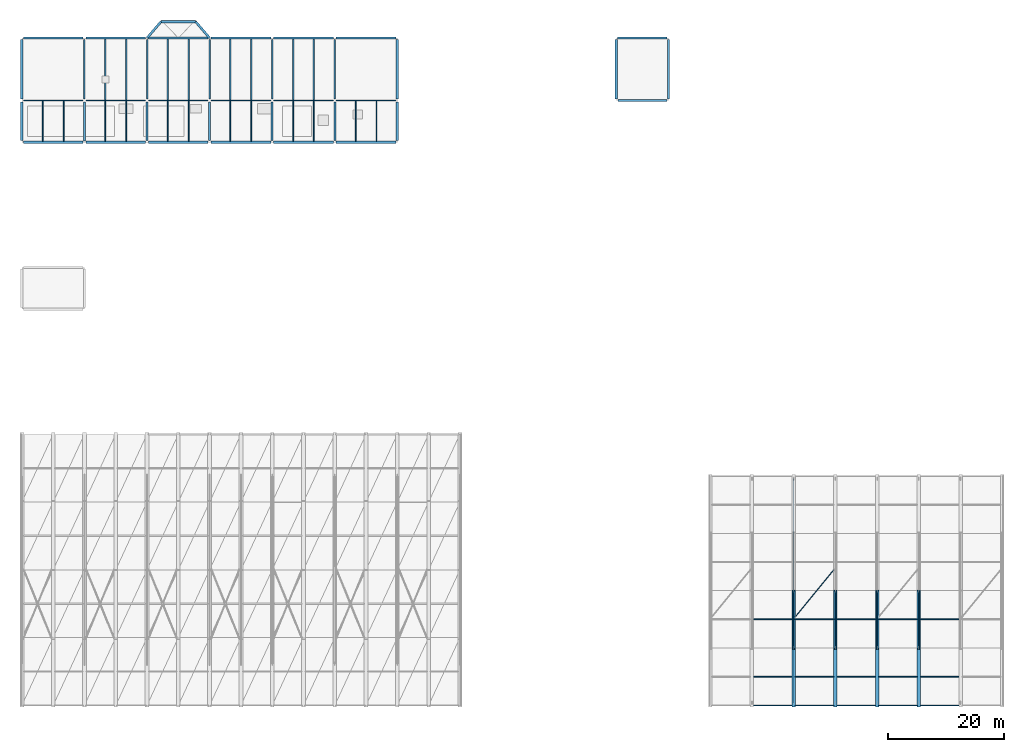
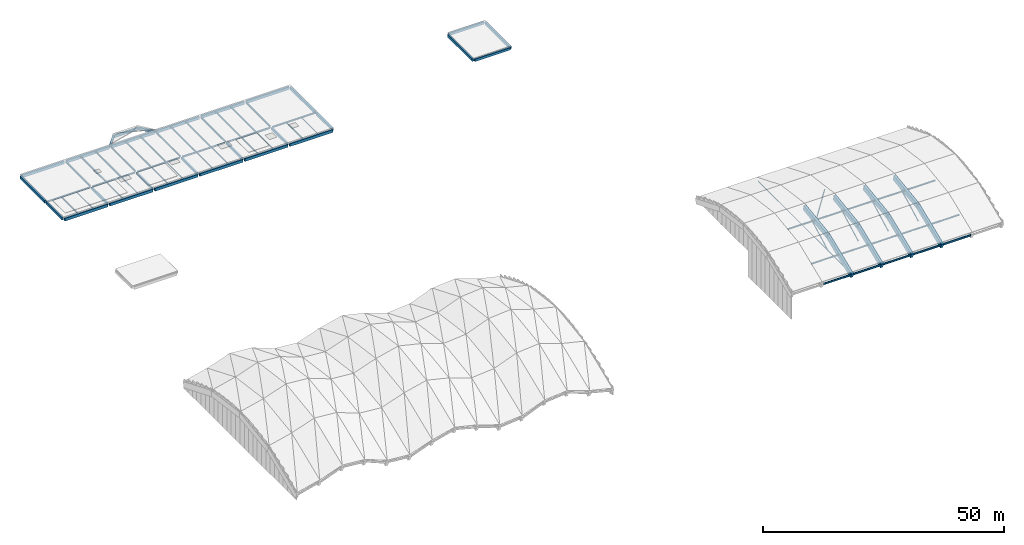
# One storey, part 4 of 22: 72 beams, 16 members.
"""IFC4 building model written with IfcOpenShell, lengths in metres."""

import ifcopenshell
import ifcopenshell.guid

model = None  # the IFC model being written
_history = None  # IfcOwnerHistory: only IFC2X3 demands one
_inside = {}  # id of a spatial element -> (the spatial element, [elements in it])
_under = {}  # id of a project, library or spatial element -> (it, [spatial elements below it])
_declared = {}  # id of a project -> (the project, [libraries it declares])
_typed = {}  # id of a type object -> (the type object, [elements of that type])
_made_of = {}  # id of a material, layer set ... -> (it, [elements and type objects made of it])


def new_model(schema):
    """Start an empty IFC model of exactly this schema.

    Asked for "IFC4X3", IfcOpenShell would pick the latest addendum, in which some entities
    have other attributes; the version numbers below select the first issue.
    IFC2X3 requires an IfcOwnerHistory on every rooted entity: one is made here for all.
    """
    global model, _history
    if schema == "IFC4X3":
        model = ifcopenshell.file(schema_version=(4, 3, 0, 0))
    else:
        model = ifcopenshell.file(schema=schema)
    _inside.clear()
    _under.clear()
    _declared.clear()
    _typed.clear()
    _made_of.clear()
    _history = None
    if model.schema == "IFC2X3":
        org = make("IfcOrganization", Name="unknown")
        user = make(
            "IfcPersonAndOrganization",
            ThePerson=make("IfcPerson", FamilyName="unknown"),
            TheOrganization=org,
        )
        app = make(
            "IfcApplication",
            ApplicationDeveloper=org,
            Version="unknown",
            ApplicationFullName="unknown",
            ApplicationIdentifier="unknown",
        )
        _history = make(
            "IfcOwnerHistory",
            OwningUser=user,
            OwningApplication=app,
            ChangeAction="ADDED",
            CreationDate=0,
        )
    return model


def make(cls, **values):
    """One entity of the class cls with the attributes given. An attribute that is None is left unset."""
    return model.create_entity(
        cls, **{name: value for name, value in values.items() if value is not None}
    )


def rooted(cls, **values):
    """An entity with a GlobalId (a new one), such as an element, a storey or a relation."""
    return make(cls, GlobalId=ifcopenshell.guid.new(), OwnerHistory=_history, **values)


def si_unit(unit_type, name, prefix=None):
    """IfcSIUnit, for example si_unit("LENGTHUNIT", "METRE", prefix="MILLI")."""
    return make("IfcSIUnit", UnitType=unit_type, Prefix=prefix, Name=name)


def assignment(units):
    """IfcUnitAssignment: the units of a project."""
    return None if units is None else make("IfcUnitAssignment", Units=units)


def point(xyz):
    """IfcCartesianPoint."""
    return None if xyz is None else make("IfcCartesianPoint", Coordinates=xyz)


def direction(xyz):
    """IfcDirection."""
    return None if xyz is None else make("IfcDirection", DirectionRatios=xyz)


def frame(location, z_axis=None, x_axis=None):
    """IfcAxis2Placement3D, a coordinate frame: its origin and axes. An axis left out is left unset."""
    return make(
        "IfcAxis2Placement3D",
        Location=point(location),
        Axis=direction(z_axis),
        RefDirection=direction(x_axis),
    )


def frame_2d(location, x_axis=None):
    """IfcAxis2Placement2D, a coordinate frame in the plane: its origin and x axis."""
    return make(
        "IfcAxis2Placement2D", Location=point(location), RefDirection=direction(x_axis)
    )


def origin():
    """The frame at (0, 0, 0) with its axes left unset."""
    return frame((0.0, 0.0, 0.0))


def origin_2d():
    """The frame at (0, 0) in the plane with its x axis left unset."""
    return frame_2d((0.0, 0.0))


def place(relative_to, where):
    """IfcLocalPlacement: puts the frame where relative to a parent placement (None: the world)."""
    return make(
        "IfcLocalPlacement", PlacementRelTo=relative_to, RelativePlacement=where
    )


def context(
    kind, dimensions, precision=None, world=None, true_north=None, identifier=None
):
    """IfcGeometricRepresentationContext, for example the 3D "Model" context."""
    return make(
        "IfcGeometricRepresentationContext",
        ContextIdentifier=identifier,
        ContextType=kind,
        CoordinateSpaceDimension=dimensions,
        Precision=precision,
        WorldCoordinateSystem=world,
        TrueNorth=true_north,
    )


def subcontext(parent, identifier, kind, view, scale=None):
    """IfcGeometricRepresentationSubContext, for example "Body" below "Model"."""
    return make(
        "IfcGeometricRepresentationSubContext",
        ContextIdentifier=identifier,
        ContextType=kind,
        ParentContext=parent,
        TargetScale=scale,
        TargetView=view,
    )


def project(units=None, contexts=None):
    """IfcProject with its units and contexts."""
    return rooted(
        "IfcProject",
        Name="project",
        RepresentationContexts=contexts,
        UnitsInContext=assignment(units),
    )


def spatial(cls, under=None, at=None, **own):
    """A site, building, storey or space (cls), placed at a placement, below another one or the project."""
    s = rooted(cls, ObjectPlacement=at, **own)
    if under is not None:
        _under.setdefault(under.id(), (under, []))[1].append(s)
    return s


def profile(cls, at=None, kind="AREA", **sizes):
    """A parametric profile (cls). Its sizes go by their IFC names, for example OverallWidth=200.0."""
    return make(cls, ProfileType=kind, Position=at, **sizes)


def rectangle(**sizes):
    """IfcRectangleProfileDef."""
    return profile("IfcRectangleProfileDef", **sizes)


def hollow_rectangle(**sizes):
    """IfcRectangleHollowProfileDef."""
    return profile("IfcRectangleHollowProfileDef", **sizes)


def hollow_circle(**sizes):
    """IfcCircleHollowProfileDef."""
    return profile("IfcCircleHollowProfileDef", **sizes)


def i_section(**sizes):
    """IfcIShapeProfileDef."""
    return profile("IfcIShapeProfileDef", **sizes)


def extrude(swept, where, along, depth):
    """IfcExtrudedAreaSolid: the profile swept, set in the frame where, extruded along a direction by depth."""
    return make(
        "IfcExtrudedAreaSolid",
        SweptArea=swept,
        Position=where,
        ExtrudedDirection=direction(along),
        Depth=depth,
    )


def shape(context_of_items, identifier, shape_type, items):
    """IfcShapeRepresentation: the items that make up one representation, for example the "Body"."""
    return make(
        "IfcShapeRepresentation",
        ContextOfItems=context_of_items,
        RepresentationIdentifier=identifier,
        RepresentationType=shape_type,
        Items=items,
    )


def material(Name=None, Category=None):
    """IfcMaterial."""
    return make("IfcMaterial", Name=Name, Category=Category)


def material_profile(
    of_material, cross_section, Name=None, Category=None, Priority=None
):
    """IfcMaterialProfile: a cross section and its material."""
    return make(
        "IfcMaterialProfile",
        Name=Name,
        Material=of_material,
        Profile=cross_section,
        Priority=Priority,
        Category=Category,
    )


def profile_set(profiles, Name=None, composite=None):
    """IfcMaterialProfileSet."""
    return make(
        "IfcMaterialProfileSet",
        Name=Name,
        MaterialProfiles=profiles,
        CompositeProfile=composite,
    )


def made_of(thing, what):
    """Note that an element or type object is made of a material, layer set ...; save() writes the relation."""
    if what is not None:
        _made_of.setdefault(what.id(), (what, []))[1].append(thing)
    return thing


def type_object(cls, material=None, **own):
    """A type object (cls), such as IfcWallType, which elements share."""
    return made_of(rooted(cls, **own), material)


def element(
    cls,
    number,
    at=None,
    inside=None,
    cuts=None,
    type_object=None,
    material=None,
    context=None,
    identifier="Body",
    shape_type=None,
    held_by="IfcProductDefinitionShape",
    body=None,
    shapes=None,
    **own,
):
    """One element of the class cls, such as IfcWall. Its Tag is "e" and its number.

    at: its placement. inside: the storey or other place that contains it. cuts: it is an
    opening in that element (IfcRelVoidsElement). A single representation is given by context,
    identifier, shape_type and body (its items); several are given by shapes. held_by: the class
    of the entity that holds the representations. save() writes the other relations.
    """
    e = rooted(cls, Tag="e%d" % number, ObjectPlacement=at, **own)
    if body is not None:
        shapes = [shape(context, identifier, shape_type, body)]
    if shapes is not None:
        e.Representation = make(held_by, Representations=shapes)
    if inside is not None:
        _inside.setdefault(inside.id(), (inside, []))[1].append(e)
    if cuts is not None:
        rooted(
            "IfcRelVoidsElement", RelatingBuildingElement=cuts, RelatedOpeningElement=e
        )
    if type_object is not None:
        _typed.setdefault(type_object.id(), (type_object, []))[1].append(e)
    return made_of(e, material)


def aggregate(whole, parts):
    """IfcRelAggregates: a whole, such as a stair, and the parts it consists of."""
    return rooted("IfcRelAggregates", RelatingObject=whole, RelatedObjects=parts)


def save(model, path):
    """Write the relations noted so far, then the file.

    IfcRelAggregates (storeys below a building ...), IfcRelContainedInSpatialStructure (elements
    in a storey), IfcRelDefinesByType, IfcRelAssociatesMaterial and IfcRelDeclares: one each for
    every whole, place, type object, material and project.
    """
    for whole, parts in _under.values():
        aggregate(whole, parts)
    for where, things in _inside.values():
        rooted(
            "IfcRelContainedInSpatialStructure",
            RelatedElements=things,
            RelatingStructure=where,
        )
    for kind, things in _typed.values():
        rooted("IfcRelDefinesByType", RelatedObjects=things, RelatingType=kind)
    for what, things in _made_of.values():
        rooted("IfcRelAssociatesMaterial", RelatedObjects=things, RelatingMaterial=what)
    for by, libraries in _declared.values():
        rooted("IfcRelDeclares", RelatingContext=by, RelatedDefinitions=libraries)
    model.write(path)


model = new_model("IFC4")

# Units and contexts
model_context = context("Model", 3, precision=1e-05, world=origin(), true_north=direction((0.0, 1.0)))
body_context = subcontext(model_context, "Body", "Model", "MODEL_VIEW")
ifc_project = project(units=[si_unit("LENGTHUNIT", "METRE"), si_unit("AREAUNIT", "SQUARE_METRE"), si_unit("VOLUMEUNIT", "CUBIC_METRE"), si_unit("PLANEANGLEUNIT", "RADIAN"), si_unit("MASSUNIT", "GRAM", prefix="KILO")], contexts=[model_context])

# Site, building, storey
site_placement = place(None, origin())
site = spatial("IfcSite", under=ifc_project, at=site_placement, CompositionType="ELEMENT")
building_placement = place(site_placement, origin())
building = spatial("IfcBuilding", under=site, at=building_placement, Name="Lusvemor Sports Hall", CompositionType="ELEMENT")
storey_placement = place(building_placement, frame((0.0, 0.0, 23.39990234375)))
storey = spatial("IfcBuildingStorey", under=building, at=storey_placement, Name="Roof", CompositionType="ELEMENT", Elevation=23.39990234375)

# Beams
ifc_material_1 = material(Name="Concrete C40/50", Category="concrete")
ifc_material_profile_1 = material_profile(ifc_material_1, rectangle(XDim=0.60009765625, YDim=1.300048828125, at=origin_2d()), Name="RC600x1300")
ifc_profile_set_1 = profile_set([ifc_material_profile_1], Name="Concrete C40/50")
beam_type_1 = type_object("IfcBeamType", Name="ARCH_RIB_V2", PredefinedType="T_BEAM", material=ifc_profile_set_1)
beam_1_placement = place(storey_placement, frame((133.199951171875, 0.0, -2.58984375), z_axis=(0.0, 0.925544047536, 0.378639955723), x_axis=(-1.0, 0.0, 0.0)))
element("IfcBeam", 1, at=beam_1_placement, inside=storey, type_object=beam_type_1, Name="East Vault Arch Rib 15 Seg 1", PredefinedType="T_BEAM", context=body_context, shape_type="SweptSolid", body=[
    extrude(rectangle(XDim=0.60009765625, YDim=1.300048828125, at=origin_2d()), origin(), (0.0, 0.0, 1.0), 10.6962890625),
])
beam_2_placement = place(storey_placement, frame((133.199951171875, 9.89990234375, 1.460205078125), z_axis=(0.0, 0.990832398214, 0.135096849146), x_axis=(-1.0, 0.0, 0.0)))
element("IfcBeam", 2, at=beam_2_placement, inside=storey, type_object=beam_type_1, Name="East Vault Arch Rib 15 Seg 2", PredefinedType="T_BEAM", context=body_context, shape_type="SweptSolid", body=[
    extrude(rectangle(XDim=0.60009765625, YDim=1.300048828125, at=origin_2d()), origin(), (0.0, 0.0, 1.0), 9.99169921875),
])
beam_3_placement = place(storey_placement, frame((140.39990234375, 0.0, -2.58984375), z_axis=(0.0, 0.925544047536, 0.378639955723), x_axis=(-1.0, 0.0, 0.0)))
element("IfcBeam", 3, at=beam_3_placement, inside=storey, type_object=beam_type_1, Name="East Vault Arch Rib 16 Seg 1", PredefinedType="T_BEAM", context=body_context, shape_type="SweptSolid", body=[
    extrude(rectangle(XDim=0.60009765625, YDim=1.300048828125, at=origin_2d()), origin(), (0.0, 0.0, 1.0), 10.6962890625),
])
beam_4_placement = place(storey_placement, frame((140.39990234375, 9.89990234375, 1.460205078125), z_axis=(0.0, 0.990832398214, 0.135096849146), x_axis=(-1.0, 0.0, 0.0)))
element("IfcBeam", 4, at=beam_4_placement, inside=storey, type_object=beam_type_1, Name="East Vault Arch Rib 16 Seg 2", PredefinedType="T_BEAM", context=body_context, shape_type="SweptSolid", body=[
    extrude(rectangle(XDim=0.60009765625, YDim=1.300048828125, at=origin_2d()), origin(), (0.0, 0.0, 1.0), 9.99169921875),
])
beam_5_placement = place(storey_placement, frame((147.60009765625, 0.0, -2.58984375), z_axis=(0.0, 0.925544047536, 0.378639955723), x_axis=(-1.0, 0.0, 0.0)))
element("IfcBeam", 5, at=beam_5_placement, inside=storey, type_object=beam_type_1, Name="East Vault Arch Rib 17 Seg 1", PredefinedType="T_BEAM", context=body_context, shape_type="SweptSolid", body=[
    extrude(rectangle(XDim=0.60009765625, YDim=1.300048828125, at=origin_2d()), origin(), (0.0, 0.0, 1.0), 10.6962890625),
])
beam_6_placement = place(storey_placement, frame((147.60009765625, 9.89990234375, 1.460205078125), z_axis=(0.0, 0.990832398214, 0.135096849146), x_axis=(-1.0, 0.0, 0.0)))
element("IfcBeam", 6, at=beam_6_placement, inside=storey, type_object=beam_type_1, Name="East Vault Arch Rib 17 Seg 2", PredefinedType="T_BEAM", context=body_context, shape_type="SweptSolid", body=[
    extrude(rectangle(XDim=0.60009765625, YDim=1.300048828125, at=origin_2d()), origin(), (0.0, 0.0, 1.0), 9.99169921875),
])
beam_7_placement = place(storey_placement, frame((154.800048828125, 0.0, -2.58984375), z_axis=(0.0, 0.925544047536, 0.378639955723), x_axis=(-1.0, 0.0, 0.0)))
element("IfcBeam", 7, at=beam_7_placement, inside=storey, type_object=beam_type_1, Name="East Vault Arch Rib 18 Seg 1", PredefinedType="T_BEAM", context=body_context, shape_type="SweptSolid", body=[
    extrude(rectangle(XDim=0.60009765625, YDim=1.300048828125, at=origin_2d()), origin(), (0.0, 0.0, 1.0), 10.6962890625),
])
beam_8_placement = place(storey_placement, frame((154.800048828125, 9.89990234375, 1.460205078125), z_axis=(0.0, 0.990832398214, 0.135096849146), x_axis=(-1.0, 0.0, 0.0)))
element("IfcBeam", 8, at=beam_8_placement, inside=storey, type_object=beam_type_1, Name="East Vault Arch Rib 18 Seg 2", PredefinedType="T_BEAM", context=body_context, shape_type="SweptSolid", body=[
    extrude(rectangle(XDim=0.60009765625, YDim=1.300048828125, at=origin_2d()), origin(), (0.0, 0.0, 1.0), 9.99169921875),
])
ifc_material_2 = material(Name="Concrete C40/50", Category="concrete")
ifc_material_profile_2 = material_profile(ifc_material_2, rectangle(XDim=0.35009765625, YDim=0.550048828125, at=origin_2d()), Name="RC350x550")
ifc_profile_set_2 = profile_set([ifc_material_profile_2], Name="Concrete C40/50")
beam_type_2 = type_object("IfcBeamType", Name="BEAM_RC_550", PredefinedType="BEAM", material=ifc_profile_set_2)
beam_9_placement = place(storey_placement, frame((10.800048828125, 97.446044921875, -0.60498046875), z_axis=(0.0, 1.0, 0.0), x_axis=(-1.0, 0.0, 0.0)))
element("IfcBeam", 9, at=beam_9_placement, inside=storey, type_object=beam_type_2, Name="Beam Roof 2:N-P", PredefinedType="BEAM", context=body_context, shape_type="SweptSolid", body=[
    extrude(rectangle(XDim=0.35009765625, YDim=0.550048828125, at=origin_2d()), origin(), (0.0, 0.0, 1.0), 6.7080078125),
])
for number, where, z_axis, x_axis, name in (
    (10, (21.60009765625, 97.466064453125, -0.60498046875), (0.0, 1.0, 0.0), (-1.0, 0.0, 0.0), "Beam Roof 3:N-P"),
    (11, (32.39990234375, 97.466064453125, -0.60498046875), (0.0, 1.0, 0.0), (-1.0, 0.0, 0.0), "Beam Roof 4:N-P"),
    (12, (43.199951171875, 97.466064453125, -0.60498046875), (0.0, 1.0, 0.0), (-1.0, 0.0, 0.0), "Beam Roof 5:N-P"),
    (13, (54.0, 97.466064453125, -0.60498046875), (0.0, 1.0, 0.0), (-1.0, 0.0, 0.0), "Beam Roof 6:N-P"),
):
    element("IfcBeam", number, at=place(storey_placement, frame(where, z_axis=z_axis, x_axis=x_axis)), inside=storey, type_object=beam_type_2, Name=name, PredefinedType="BEAM", context=body_context, shape_type="SweptSolid", body=[
        extrude(rectangle(XDim=0.35009765625, YDim=0.550048828125, at=origin_2d()), origin(), (0.0, 0.0, 1.0), 6.68798828125),
    ])
ifc_material_3 = material(Name="Steel S355", Category="steel")
ifc_material_profile_3 = material_profile(ifc_material_3, i_section(OverallWidth=0.256103515625, OverallDepth=0.360107421875, WebThickness=0.011474609375, FlangeThickness=0.02001953125, FilletRadius=0.014892578125, at=origin_2d()), Name="W360x110.0")
ifc_profile_set_3 = profile_set([ifc_material_profile_3], Name="Steel S355")
beam_type_3 = type_object("IfcBeamType", Name="BEAM_ST_360H", PredefinedType="BEAM", material=ifc_profile_set_3)
for number, where, z_axis, x_axis, name in (
    (14, (10.800048828125, 104.64599609375, -0.513916015625), (0.0, 1.0, 0.0), (-1.0, 0.0, 0.0), "Beam Roof 2:P-Q"),
    (15, (21.60009765625, 104.64599609375, -0.513916015625), (0.0, 1.0, 0.0), (-1.0, 0.0, 0.0), "Beam Roof 3:P-Q"),
    (16, (32.39990234375, 104.64599609375, -0.513916015625), (0.0, 1.0, 0.0), (-1.0, 0.0, 0.0), "Beam Roof 4:P-Q"),
    (17, (43.199951171875, 104.64599609375, -0.513916015625), (0.0, 1.0, 0.0), (-1.0, 0.0, 0.0), "Beam Roof 5:P-Q"),
    (18, (54.0, 104.64599609375, -0.513916015625), (0.0, 1.0, 0.0), (-1.0, 0.0, 0.0), "Beam Roof 6:P-Q"),
):
    element("IfcBeam", number, at=place(storey_placement, frame(where, z_axis=z_axis, x_axis=x_axis)), inside=storey, type_object=beam_type_3, Name=name, PredefinedType="BEAM", context=body_context, shape_type="SweptSolid", body=[
        extrude(i_section(OverallWidth=0.256103515625, OverallDepth=0.360107421875, WebThickness=0.011474609375, FlangeThickness=0.02001953125, FilletRadius=0.014892578125, at=origin_2d()), origin(), (0.0, 0.0, 1.0), 10.2880859375),
    ])
ifc_material_4 = material(Name="Steel S355", Category="steel")
ifc_material_profile_4 = material_profile(ifc_material_4, i_section(OverallWidth=0.180908203125, OverallDepth=0.4169921875, WebThickness=0.010986328125, FlangeThickness=0.018310546875, FilletRadius=0.01611328125, at=origin_2d()), Name="W410x85.0")
ifc_profile_set_4 = profile_set([ifc_material_profile_4], Name="Steel S355")
beam_type_4 = type_object("IfcBeamType", Name="BEAM_ST_410H", PredefinedType="BEAM", material=ifc_profile_set_4)
beam_10_placement = place(storey_placement, frame((0.236083984375, 104.39990234375, -0.54248046875), z_axis=(1.0, 0.0, 0.0), x_axis=(0.0, 1.0, 0.0)))
element("IfcBeam", 19, at=beam_10_placement, inside=storey, type_object=beam_type_4, Name="Beam Roof P:1-2", PredefinedType="BEAM", context=body_context, shape_type="SweptSolid", body=[
    extrude(i_section(OverallWidth=0.180908203125, OverallDepth=0.4169921875, WebThickness=0.010986328125, FlangeThickness=0.018310546875, FilletRadius=0.01611328125, at=origin_2d()), origin(), (0.0, 0.0, 1.0), 10.31787109375),
])
for number, where, z_axis, x_axis, name in (
    (20, (11.0458984375, 104.39990234375, -0.54248046875), (1.0, 0.0, 0.0), (0.0, 1.0, 0.0), "Beam Roof P:2-3"),
    (21, (21.845947265625, 104.39990234375, -0.54248046875), (1.0, 0.0, 0.0), (0.0, 1.0, 0.0), "Beam Roof P:3-4"),
    (22, (32.64599609375, 104.39990234375, -0.54248046875), (1.0, 0.0, 0.0), (0.0, 1.0, 0.0), "Beam Roof P:4-5"),
):
    element("IfcBeam", number, at=place(storey_placement, frame(where, z_axis=z_axis, x_axis=x_axis)), inside=storey, type_object=beam_type_4, Name=name, PredefinedType="BEAM", context=body_context, shape_type="SweptSolid", body=[
        extrude(i_section(OverallWidth=0.180908203125, OverallDepth=0.4169921875, WebThickness=0.010986328125, FlangeThickness=0.018310546875, FilletRadius=0.01611328125, at=origin_2d()), origin(), (0.0, 0.0, 1.0), 10.30810546875),
    ])
for number, where, z_axis, x_axis, name in (
    (23, (43.446044921875, 104.39990234375, -0.54248046875), (1.0, 0.0, 0.0), (0.0, 1.0, 0.0), "Beam Roof P:5-6"),
    (24, (54.24609375, 104.39990234375, -0.54248046875), (1.0, 0.0, 0.0), (0.0, 1.0, 0.0), "Beam Roof P:6-7"),
):
    element("IfcBeam", number, at=place(storey_placement, frame(where, z_axis=z_axis, x_axis=x_axis)), inside=storey, type_object=beam_type_4, Name=name, PredefinedType="BEAM", context=body_context, shape_type="SweptSolid", body=[
        extrude(i_section(OverallWidth=0.180908203125, OverallDepth=0.4169921875, WebThickness=0.010986328125, FlangeThickness=0.018310546875, FilletRadius=0.01611328125, at=origin_2d()), origin(), (0.0, 0.0, 1.0), 10.307861328125),
    ])

# Member
ifc_material_5 = material(Name="Steel S355", Category="steel")
ifc_material_profile_5 = material_profile(ifc_material_5, hollow_circle(Radius=0.084228515625, WallThickness=0.008056640625, at=origin_2d()), Name="CHS168.3x8.0")
ifc_profile_set_5 = profile_set([ifc_material_profile_5], Name="Steel S355")
member_type_1 = type_object("IfcMemberType", Name="BRACE_ROOF_168", PredefinedType="BRACE", material=ifc_profile_set_5)
member_1_placement = place(storey_placement, frame((133.489990234375, 15.300048828125, 2.611083984375), z_axis=(0.632805582188, 0.774251025234, 0.009614836254), x_axis=(-0.774286815563, 0.632834834096, 0.0)))
element("IfcMember", 25, at=member_1_placement, inside=storey, type_object=member_type_1, Name="East Vault Roof Brace 15", PredefinedType="BRACE", context=body_context, shape_type="SweptSolid", body=[
    extrude(hollow_circle(Radius=0.084228515625, WallThickness=0.008056640625, at=origin_2d()), origin(), (0.0, 0.0, 1.0), 10.46142578125),
])

# Beams
ifc_material_6 = material(Name="Steel S355", Category="steel")
ifc_material_profile_6 = material_profile(ifc_material_6, i_section(OverallWidth=0.14794921875, OverallDepth=0.26611328125, WebThickness=0.007568359375, FlangeThickness=0.012939453125, FilletRadius=0.012939453125, at=origin_2d()), Name="W250x44.8")
ifc_profile_set_6 = profile_set([ifc_material_profile_6], Name="Steel S355")
beam_type_5 = type_object("IfcBeamType", Name="JOIST_ST_250M", PredefinedType="JOIST", material=ifc_profile_set_6)
for number, where, z_axis, x_axis, name in (
    (26, (7.199951171875, 97.39599609375, -0.466796875), (0.0, 1.0, 0.0), (-1.0, 0.0, 0.0), "Secondary Joist Roof 1-2/N-P #2"),
    (27, (18.0, 97.39599609375, -0.466796875), (0.0, 1.0, 0.0), (-1.0, 0.0, 0.0), "Secondary Joist Roof 2-3/N-P #2"),
    (28, (28.800048828125, 97.39599609375, -0.466796875), (0.0, 1.0, 0.0), (-1.0, 0.0, 0.0), "Secondary Joist Roof 3-4/N-P #2"),
    (29, (39.60009765625, 97.39599609375, -0.466796875), (0.0, 1.0, 0.0), (-1.0, 0.0, 0.0), "Secondary Joist Roof 4-5/N-P #2"),
    (30, (50.39990234375, 97.39599609375, -0.466796875), (0.0, 1.0, 0.0), (-1.0, 0.0, 0.0), "Secondary Joist Roof 5-6/N-P #2"),
    (31, (61.199951171875, 97.39599609375, -0.466796875), (0.0, 1.0, 0.0), (-1.0, 0.0, 0.0), "Secondary Joist Roof 6-7/N-P #2"),
):
    element("IfcBeam", number, at=place(storey_placement, frame(where, z_axis=z_axis, x_axis=x_axis)), inside=storey, type_object=beam_type_5, Name=name, PredefinedType="JOIST", context=body_context, shape_type="SweptSolid", body=[
        extrude(i_section(OverallWidth=0.14794921875, OverallDepth=0.26611328125, WebThickness=0.007568359375, FlangeThickness=0.012939453125, FilletRadius=0.012939453125, at=origin_2d()), origin(), (0.0, 0.0, 1.0), 6.91748046875),
    ])
ifc_material_7 = material(Name="Steel S355", Category="steel")
ifc_material_profile_7 = material_profile(ifc_material_7, i_section(OverallWidth=0.25390625, OverallDepth=0.305908203125, WebThickness=0.0087890625, FlangeThickness=0.0146484375, FilletRadius=0.014892578125, at=origin_2d()), Name="W310x79.0")
ifc_profile_set_7 = profile_set([ifc_material_profile_7], Name="Steel S355")
beam_type_6 = type_object("IfcBeamType", Name="JOIST_ST_310H", PredefinedType="JOIST", material=ifc_profile_set_7)
for number, where, z_axis, x_axis, name in (
    (32, (14.39990234375, 104.486572265625, -0.48681640625), (0.0, 1.0, 0.0), (-1.0, 0.0, 0.0), "Secondary Joist Roof 2-3/P-Q #1"),
    (33, (18.0, 104.486572265625, -0.48681640625), (0.0, 1.0, 0.0), (-1.0, 0.0, 0.0), "Secondary Joist Roof 2-3/P-Q #2"),
    (34, (25.199951171875, 104.486572265625, -0.48681640625), (0.0, 1.0, 0.0), (-1.0, 0.0, 0.0), "Secondary Joist Roof 3-4/P-Q #1"),
    (35, (28.800048828125, 104.486572265625, -0.48681640625), (0.0, 1.0, 0.0), (-1.0, 0.0, 0.0), "Secondary Joist Roof 3-4/P-Q #2"),
    (36, (36.0, 104.486572265625, -0.48681640625), (0.0, 1.0, 0.0), (-1.0, 0.0, 0.0), "Secondary Joist Roof 4-5/P-Q #1"),
    (37, (39.60009765625, 104.486572265625, -0.48681640625), (0.0, 1.0, 0.0), (-1.0, 0.0, 0.0), "Secondary Joist Roof 4-5/P-Q #2"),
    (38, (46.800048828125, 104.486572265625, -0.48681640625), (0.0, 1.0, 0.0), (-1.0, 0.0, 0.0), "Secondary Joist Roof 5-6/P-Q #1"),
    (39, (50.39990234375, 104.486572265625, -0.48681640625), (0.0, 1.0, 0.0), (-1.0, 0.0, 0.0), "Secondary Joist Roof 5-6/P-Q #2"),
):
    element("IfcBeam", number, at=place(storey_placement, frame(where, z_axis=z_axis, x_axis=x_axis)), inside=storey, type_object=beam_type_6, Name=name, PredefinedType="JOIST", context=body_context, shape_type="SweptSolid", body=[
        extrude(i_section(OverallWidth=0.25390625, OverallDepth=0.305908203125, WebThickness=0.0087890625, FlangeThickness=0.0146484375, FilletRadius=0.014892578125, at=origin_2d()), origin(), (0.0, 0.0, 1.0), 10.517333984375),
    ])
ifc_material_8 = material(Name="Steel S355", Category="steel")
ifc_material_profile_8 = material_profile(ifc_material_8, i_section(OverallWidth=0.1669921875, OverallDepth=0.31689453125, WebThickness=0.007568359375, FlangeThickness=0.01318359375, FilletRadius=0.014892578125, at=origin_2d()), Name="W310x52.0")
ifc_profile_set_8 = profile_set([ifc_material_profile_8], Name="Steel S355")
beam_type_7 = type_object("IfcBeamType", Name="JOIST_ST_310M", PredefinedType="JOIST", material=ifc_profile_set_8)
for number, where, z_axis, x_axis, name in (
    (40, (3.60009765625, 97.39599609375, -0.492431640625), (0.0, 1.0, 0.0), (-1.0, 0.0, 0.0), "Secondary Joist Roof 1-2/N-P #1"),
    (41, (14.39990234375, 97.39599609375, -0.492431640625), (0.0, 1.0, 0.0), (-1.0, 0.0, 0.0), "Secondary Joist Roof 2-3/N-P #1"),
    (42, (25.199951171875, 97.39599609375, -0.492431640625), (0.0, 1.0, 0.0), (-1.0, 0.0, 0.0), "Secondary Joist Roof 3-4/N-P #1"),
    (43, (36.0, 97.39599609375, -0.492431640625), (0.0, 1.0, 0.0), (-1.0, 0.0, 0.0), "Secondary Joist Roof 4-5/N-P #1"),
    (44, (46.800048828125, 97.39599609375, -0.492431640625), (0.0, 1.0, 0.0), (-1.0, 0.0, 0.0), "Secondary Joist Roof 5-6/N-P #1"),
    (45, (57.60009765625, 97.39599609375, -0.492431640625), (0.0, 1.0, 0.0), (-1.0, 0.0, 0.0), "Secondary Joist Roof 6-7/N-P #1"),
):
    element("IfcBeam", number, at=place(storey_placement, frame(where, z_axis=z_axis, x_axis=x_axis)), inside=storey, type_object=beam_type_7, Name=name, PredefinedType="JOIST", context=body_context, shape_type="SweptSolid", body=[
        extrude(i_section(OverallWidth=0.1669921875, OverallDepth=0.31689453125, WebThickness=0.007568359375, FlangeThickness=0.01318359375, FilletRadius=0.014892578125, at=origin_2d()), origin(), (0.0, 0.0, 1.0), 6.91748046875),
    ])

# Members
ifc_material_9 = material(Name="Steel S355", Category="steel")
ifc_material_profile_9 = material_profile(ifc_material_9, i_section(OverallWidth=0.14599609375, OverallDepth=0.258056640625, WebThickness=0.006103515625, FlangeThickness=0.009033203125, FilletRadius=0.012939453125, at=origin_2d()), Name="W250x32.7")
ifc_profile_set_9 = profile_set([ifc_material_profile_9], Name="Steel S355")
member_type_2 = type_object("IfcMemberType", Name="PURL_V2_250", PredefinedType="PURLIN", material=ifc_profile_set_9)
for number, where, z_axis, x_axis, name in (
    (46, (126.2900390625, 4.949951171875, -0.128662109375), (1.0, 0.0, 0.0), (0.0, 1.0, 0.0), "East Vault Purlin 14-1"),
    (47, (126.2900390625, 14.85009765625, 2.61669921875), (1.0, 0.0, 0.0), (0.0, 1.0, 0.0), "East Vault Purlin 14-2"),
):
    element("IfcMember", number, at=place(storey_placement, frame(where, z_axis=z_axis, x_axis=x_axis)), inside=storey, type_object=member_type_2, Name=name, PredefinedType="PURLIN", context=body_context, shape_type="SweptSolid", body=[
        extrude(i_section(OverallWidth=0.14599609375, OverallDepth=0.258056640625, WebThickness=0.006103515625, FlangeThickness=0.009033203125, FilletRadius=0.012939453125, at=origin_2d()), origin(), (0.0, 0.0, 1.0), 6.619873046875),
    ])
for number, where, z_axis, x_axis, name in (
    (48, (133.489990234375, 4.949951171875, -0.128662109375), (1.0, 0.0, 0.0), (0.0, 1.0, 0.0), "East Vault Purlin 15-1"),
    (49, (133.489990234375, 14.85009765625, 2.61669921875), (1.0, 0.0, 0.0), (0.0, 1.0, 0.0), "East Vault Purlin 15-2"),
    (50, (140.68994140625, 4.949951171875, -0.128662109375), (1.0, 0.0, 0.0), (0.0, 1.0, 0.0), "East Vault Purlin 16-1"),
    (51, (140.68994140625, 14.85009765625, 2.61669921875), (1.0, 0.0, 0.0), (0.0, 1.0, 0.0), "East Vault Purlin 16-2"),
    (52, (147.889892578125, 4.949951171875, -0.128662109375), (1.0, 0.0, 0.0), (0.0, 1.0, 0.0), "East Vault Purlin 17-1"),
    (53, (147.889892578125, 14.85009765625, 2.61669921875), (1.0, 0.0, 0.0), (0.0, 1.0, 0.0), "East Vault Purlin 17-2"),
):
    element("IfcMember", number, at=place(storey_placement, frame(where, z_axis=z_axis, x_axis=x_axis)), inside=storey, type_object=member_type_2, Name=name, PredefinedType="PURLIN", context=body_context, shape_type="SweptSolid", body=[
        extrude(i_section(OverallWidth=0.14599609375, OverallDepth=0.258056640625, WebThickness=0.006103515625, FlangeThickness=0.009033203125, FilletRadius=0.012939453125, at=origin_2d()), origin(), (0.0, 0.0, 1.0), 6.6201171875),
    ])
for number, where, z_axis, x_axis, name in (
    (54, (155.090087890625, 4.949951171875, -0.128662109375), (1.0, 0.0, 0.0), (0.0, 1.0, 0.0), "East Vault Purlin 18-1"),
    (55, (155.090087890625, 14.85009765625, 2.61669921875), (1.0, 0.0, 0.0), (0.0, 1.0, 0.0), "East Vault Purlin 18-2"),
):
    element("IfcMember", number, at=place(storey_placement, frame(where, z_axis=z_axis, x_axis=x_axis)), inside=storey, type_object=member_type_2, Name=name, PredefinedType="PURLIN", context=body_context, shape_type="SweptSolid", body=[
        extrude(i_section(OverallWidth=0.14599609375, OverallDepth=0.258056640625, WebThickness=0.006103515625, FlangeThickness=0.009033203125, FilletRadius=0.012939453125, at=origin_2d()), origin(), (0.0, 0.0, 1.0), 6.619873046875),
    ])

# Beams
ifc_material_10 = material(Name="Concrete C40/50", Category="concrete")
ifc_material_profile_10 = material_profile(ifc_material_10, rectangle(XDim=0.39990234375, YDim=0.610107421875, at=origin_2d()), Name="RC400x610")
ifc_profile_set_10 = profile_set([ifc_material_profile_10], Name="Concrete C40/50")
beam_type_8 = type_object("IfcBeamType", Name="SPAND_EXT_650", PredefinedType="SPANDREL", material=ifc_profile_set_10)
beam_11_placement = place(storey_placement, frame((102.845947265625, 104.39990234375, -0.534912109375), z_axis=(1.0, 0.0, 0.0), x_axis=(0.0, 1.0, 0.0)))
element("IfcBeam", 56, at=beam_11_placement, inside=storey, type_object=beam_type_8, Name="Beam Roof P:11-12", PredefinedType="SPANDREL", context=body_context, shape_type="SweptSolid", body=[
    extrude(rectangle(XDim=0.39990234375, YDim=0.610107421875, at=origin_2d()), origin(), (0.0, 0.0, 1.0), 8.508056640625),
])
beam_12_placement = place(storey_placement, frame((102.8359375, 115.199951171875, -0.534912109375), z_axis=(1.0, 0.0, 0.0), x_axis=(0.0, 1.0, 0.0)))
element("IfcBeam", 57, at=beam_12_placement, inside=storey, type_object=beam_type_8, Name="Beam Roof Q:11-12", PredefinedType="SPANDREL", context=body_context, shape_type="SweptSolid", body=[
    extrude(rectangle(XDim=0.39990234375, YDim=0.610107421875, at=origin_2d()), origin(), (0.0, 0.0, 1.0), 8.528076171875),
])
beam_13_placement = place(storey_placement, frame((0.0, 97.466064453125, -0.635009765625), z_axis=(0.0, 1.0, 0.0), x_axis=(-1.0, 0.0, 0.0)))
element("IfcBeam", 58, at=beam_13_placement, inside=storey, type_object=beam_type_8, Name="Beam Roof 1:N-P", PredefinedType="SPANDREL", context=body_context, shape_type="SweptSolid", body=[
    extrude(rectangle(XDim=0.39990234375, YDim=0.610107421875, at=origin_2d()), origin(), (0.0, 0.0, 1.0), 6.66796875),
])
beam_14_placement = place(storey_placement, frame((64.800048828125, 97.466064453125, -0.635009765625), z_axis=(0.0, 1.0, 0.0), x_axis=(-1.0, 0.0, 0.0)))
element("IfcBeam", 59, at=beam_14_placement, inside=storey, type_object=beam_type_8, Name="Beam Roof 7:N-P", PredefinedType="SPANDREL", context=body_context, shape_type="SweptSolid", body=[
    extrude(rectangle(XDim=0.39990234375, YDim=0.610107421875, at=origin_2d()), origin(), (0.0, 0.0, 1.0), 6.68798828125),
])
beam_15_placement = place(storey_placement, frame((21.60009765625, 115.199951171875, -0.56494140625), z_axis=(0.650769565339, 0.759275294494, 0.0), x_axis=(-0.759275294494, 0.650769565339, 0.0)))
element("IfcBeam", 60, at=beam_15_placement, inside=storey, type_object=beam_type_8, Name="Bow Pavilion Edge Beam BOW-N1 Roof-1", PredefinedType="SPANDREL", context=body_context, shape_type="SweptSolid", body=[
    extrude(rectangle(XDim=0.39990234375, YDim=0.610107421875, at=origin_2d()), origin(), (0.0, 0.0, 1.0), 3.687744140625),
])
beam_16_placement = place(storey_placement, frame((24.0, 118.0, -0.56494140625), z_axis=(1.0, 0.0, 0.0), x_axis=(0.0, 1.0, 0.0)))
element("IfcBeam", 61, at=beam_16_placement, inside=storey, type_object=beam_type_8, Name="Bow Pavilion Edge Beam BOW-N1 Roof-2", PredefinedType="SPANDREL", context=body_context, shape_type="SweptSolid", body=[
    extrude(rectangle(XDim=0.39990234375, YDim=0.610107421875, at=origin_2d()), origin(), (0.0, 0.0, 1.0), 6.0),
])
beam_17_placement = place(storey_placement, frame((30.0, 118.0, -0.56494140625), z_axis=(0.650769565339, -0.759275294494, 0.0), x_axis=(0.759275294494, 0.650769565339, 0.0)))
element("IfcBeam", 62, at=beam_17_placement, inside=storey, type_object=beam_type_8, Name="Bow Pavilion Edge Beam BOW-N1 Roof-3", PredefinedType="SPANDREL", context=body_context, shape_type="SweptSolid", body=[
    extrude(rectangle(XDim=0.39990234375, YDim=0.610107421875, at=origin_2d()), origin(), (0.0, 0.0, 1.0), 3.687744140625),
])
ifc_material_11 = material(Name="Concrete C40/50", Category="concrete")
ifc_material_profile_11 = material_profile(ifc_material_11, rectangle(XDim=0.39990234375, YDim=0.699951171875, at=origin_2d()), Name="RC400x700")
ifc_profile_set_11 = profile_set([ifc_material_profile_11], Name="Concrete C40/50")
beam_type_9 = type_object("IfcBeamType", Name="SPAND_EXT_700", PredefinedType="SPANDREL", material=ifc_profile_set_11)
beam_18_placement = place(storey_placement, frame((0.236083984375, 97.199951171875, -0.679931640625), z_axis=(1.0, 0.0, 0.0), x_axis=(0.0, 1.0, 0.0)))
element("IfcBeam", 63, at=beam_18_placement, inside=storey, type_object=beam_type_9, Name="Beam Roof N:1-2", PredefinedType="SPANDREL", context=body_context, shape_type="SweptSolid", body=[
    extrude(rectangle(XDim=0.39990234375, YDim=0.699951171875, at=origin_2d()), origin(), (0.0, 0.0, 1.0), 10.31787109375),
])
beam_19_placement = place(storey_placement, frame((11.0458984375, 97.199951171875, -0.679931640625), z_axis=(1.0, 0.0, 0.0), x_axis=(0.0, 1.0, 0.0)))
element("IfcBeam", 64, at=beam_19_placement, inside=storey, type_object=beam_type_9, Name="Beam Roof N:2-3", PredefinedType="SPANDREL", context=body_context, shape_type="SweptSolid", body=[
    extrude(rectangle(XDim=0.39990234375, YDim=0.699951171875, at=origin_2d()), origin(), (0.0, 0.0, 1.0), 10.318115234375),
])
for number, where, z_axis, x_axis, name in (
    (65, (21.8359375, 97.199951171875, -0.679931640625), (1.0, 0.0, 0.0), (0.0, 1.0, 0.0), "Beam Roof N:3-4"),
    (66, (32.635986328125, 97.199951171875, -0.679931640625), (1.0, 0.0, 0.0), (0.0, 1.0, 0.0), "Beam Roof N:4-5"),
):
    element("IfcBeam", number, at=place(storey_placement, frame(where, z_axis=z_axis, x_axis=x_axis)), inside=storey, type_object=beam_type_9, Name=name, PredefinedType="SPANDREL", context=body_context, shape_type="SweptSolid", body=[
        extrude(rectangle(XDim=0.39990234375, YDim=0.699951171875, at=origin_2d()), origin(), (0.0, 0.0, 1.0), 10.328125),
    ])
for number, where, z_axis, x_axis, name in (
    (67, (43.43603515625, 97.199951171875, -0.679931640625), (1.0, 0.0, 0.0), (0.0, 1.0, 0.0), "Beam Roof N:5-6"),
    (68, (54.236083984375, 97.199951171875, -0.679931640625), (1.0, 0.0, 0.0), (0.0, 1.0, 0.0), "Beam Roof N:6-7"),
    (69, (0.236083984375, 115.199951171875, -0.679931640625), (1.0, 0.0, 0.0), (0.0, 1.0, 0.0), "Beam Roof Q:1-2"),
):
    element("IfcBeam", number, at=place(storey_placement, frame(where, z_axis=z_axis, x_axis=x_axis)), inside=storey, type_object=beam_type_9, Name=name, PredefinedType="SPANDREL", context=body_context, shape_type="SweptSolid", body=[
        extrude(rectangle(XDim=0.39990234375, YDim=0.699951171875, at=origin_2d()), origin(), (0.0, 0.0, 1.0), 10.327880859375),
    ])
for number, where, z_axis, x_axis, name in (
    (70, (11.035888671875, 115.199951171875, -0.679931640625), (1.0, 0.0, 0.0), (0.0, 1.0, 0.0), "Beam Roof Q:2-3"),
    (71, (21.8359375, 115.199951171875, -0.679931640625), (1.0, 0.0, 0.0), (0.0, 1.0, 0.0), "Beam Roof Q:3-4"),
    (72, (32.635986328125, 115.199951171875, -0.679931640625), (1.0, 0.0, 0.0), (0.0, 1.0, 0.0), "Beam Roof Q:4-5"),
):
    element("IfcBeam", number, at=place(storey_placement, frame(where, z_axis=z_axis, x_axis=x_axis)), inside=storey, type_object=beam_type_9, Name=name, PredefinedType="SPANDREL", context=body_context, shape_type="SweptSolid", body=[
        extrude(rectangle(XDim=0.39990234375, YDim=0.699951171875, at=origin_2d()), origin(), (0.0, 0.0, 1.0), 10.328125),
    ])
for number, where, z_axis, x_axis, name in (
    (73, (43.43603515625, 115.199951171875, -0.679931640625), (1.0, 0.0, 0.0), (0.0, 1.0, 0.0), "Beam Roof Q:5-6"),
    (74, (54.236083984375, 115.199951171875, -0.679931640625), (1.0, 0.0, 0.0), (0.0, 1.0, 0.0), "Beam Roof Q:6-7"),
):
    element("IfcBeam", number, at=place(storey_placement, frame(where, z_axis=z_axis, x_axis=x_axis)), inside=storey, type_object=beam_type_9, Name=name, PredefinedType="SPANDREL", context=body_context, shape_type="SweptSolid", body=[
        extrude(rectangle(XDim=0.39990234375, YDim=0.699951171875, at=origin_2d()), origin(), (0.0, 0.0, 1.0), 10.327880859375),
    ])
beam_20_placement = place(storey_placement, frame((0.0, 104.666015625, -0.679931640625), z_axis=(0.0, 1.0, 0.0), x_axis=(-1.0, 0.0, 0.0)))
element("IfcBeam", 75, at=beam_20_placement, inside=storey, type_object=beam_type_9, Name="Beam Roof 1:P-Q", PredefinedType="SPANDREL", context=body_context, shape_type="SweptSolid", body=[
    extrude(rectangle(XDim=0.39990234375, YDim=0.699951171875, at=origin_2d()), origin(), (0.0, 0.0, 1.0), 10.26806640625),
])
for number, where, z_axis, x_axis, name in (
    (76, (64.800048828125, 104.64599609375, -0.679931640625), (0.0, 1.0, 0.0), (-1.0, 0.0, 0.0), "Beam Roof 7:P-Q"),
    (77, (102.60009765625, 104.64599609375, -0.579833984375), (0.0, 1.0, 0.0), (-1.0, 0.0, 0.0), "Beam Roof 11:P-Q"),
    (78, (111.60009765625, 104.64599609375, -0.579833984375), (0.0, 1.0, 0.0), (-1.0, 0.0, 0.0), "Beam Roof 12:P-Q"),
):
    element("IfcBeam", number, at=place(storey_placement, frame(where, z_axis=z_axis, x_axis=x_axis)), inside=storey, type_object=beam_type_9, Name=name, PredefinedType="SPANDREL", context=body_context, shape_type="SweptSolid", body=[
        extrude(rectangle(XDim=0.39990234375, YDim=0.699951171875, at=origin_2d()), origin(), (0.0, 0.0, 1.0), 10.2880859375),
    ])
ifc_material_12 = material(Name="Steel S355", Category="steel")
ifc_material_profile_12 = material_profile(ifc_material_12, i_section(OverallWidth=0.19189453125, OverallDepth=0.462890625, WebThickness=0.010498046875, FlangeThickness=0.017578125, FilletRadius=0.01806640625, at=origin_2d()), Name="W460x89.0")
ifc_profile_set_12 = profile_set([ifc_material_profile_12], Name="Steel S355")
beam_type_10 = type_object("IfcBeamType", Name="SPAND_WAVE_EAVE", PredefinedType="SPANDREL", material=ifc_profile_set_12)
for number, where, z_axis, x_axis, name in (
    (79, (126.25, 0.0, -2.267578125), (1.0, 0.0, 0.0), (0.0, 1.0, 0.0), "East Vault Eave Spandrel S-14"),
    (80, (133.449951171875, 0.0, -2.267578125), (1.0, 0.0, 0.0), (0.0, 1.0, 0.0), "East Vault Eave Spandrel S-15"),
):
    element("IfcBeam", number, at=place(storey_placement, frame(where, z_axis=z_axis, x_axis=x_axis)), inside=storey, type_object=beam_type_10, Name=name, PredefinedType="SPANDREL", context=body_context, shape_type="SweptSolid", body=[
        extrude(i_section(OverallWidth=0.19189453125, OverallDepth=0.462890625, WebThickness=0.010498046875, FlangeThickness=0.017578125, FilletRadius=0.01806640625, at=origin_2d()), origin(), (0.0, 0.0, 1.0), 6.699951171875),
    ])
beam_21_placement = place(storey_placement, frame((140.64990234375, 0.0, -2.267578125), z_axis=(1.0, 0.0, 0.0), x_axis=(0.0, 1.0, 0.0)))
element("IfcBeam", 81, at=beam_21_placement, inside=storey, type_object=beam_type_10, Name="East Vault Eave Spandrel S-16", PredefinedType="SPANDREL", context=body_context, shape_type="SweptSolid", body=[
    extrude(i_section(OverallWidth=0.19189453125, OverallDepth=0.462890625, WebThickness=0.010498046875, FlangeThickness=0.017578125, FilletRadius=0.01806640625, at=origin_2d()), origin(), (0.0, 0.0, 1.0), 6.7001953125),
])
for number, where, z_axis, x_axis, name in (
    (82, (147.85009765625, 0.0, -2.267578125), (1.0, 0.0, 0.0), (0.0, 1.0, 0.0), "East Vault Eave Spandrel S-17"),
    (83, (155.050048828125, 0.0, -2.267578125), (1.0, 0.0, 0.0), (0.0, 1.0, 0.0), "East Vault Eave Spandrel S-18"),
):
    element("IfcBeam", number, at=place(storey_placement, frame(where, z_axis=z_axis, x_axis=x_axis)), inside=storey, type_object=beam_type_10, Name=name, PredefinedType="SPANDREL", context=body_context, shape_type="SweptSolid", body=[
        extrude(i_section(OverallWidth=0.19189453125, OverallDepth=0.462890625, WebThickness=0.010498046875, FlangeThickness=0.017578125, FilletRadius=0.01806640625, at=origin_2d()), origin(), (0.0, 0.0, 1.0), 6.699951171875),
    ])

# Members
ifc_material_13 = material(Name="Steel S355", Category="steel")
ifc_material_profile_13 = material_profile(ifc_material_13, hollow_rectangle(XDim=0.10009765625, YDim=0.199951171875, WallThickness=0.008056640625, InnerFilletRadius=0.008056640625, OuterFilletRadius=0.01611328125, at=origin_2d()), Name="RHS200x100x8")
ifc_profile_set_13 = profile_set([ifc_material_profile_13], Name="Steel S355")
member_type_3 = type_object("IfcMemberType", Name="STRUT_VAULT_200", PredefinedType="STRUT", material=ifc_profile_set_13)
member_2_placement = place(storey_placement, frame((133.199951171875, 0.43994140625, -2.309814453125), z_axis=(0.0, 1.0, 0.0), x_axis=(-1.0, 0.0, 0.0)))
element("IfcMember", 84, at=member_2_placement, inside=storey, type_object=member_type_3, Name="East Vault Arch Tie 15", PredefinedType="STRUT", context=body_context, shape_type="SweptSolid", body=[
    extrude(hollow_rectangle(XDim=0.10009765625, YDim=0.199951171875, WallThickness=0.008056640625, InnerFilletRadius=0.008056640625, OuterFilletRadius=0.01611328125, at=origin_2d()), origin(), (0.0, 0.0, 1.0), 38.719970703125),
])
for number, where, z_axis, x_axis, name in (
    (85, (133.199951171875, 9.949951171875, -2.309814453125), (0.0, 0.886332347182, 0.463049641333), (-1.0, 0.0, 0.0), "East Vault Arch Crown Strut 15-L"),
    (86, (140.39990234375, 9.949951171875, -2.309814453125), (0.0, 0.886332347182, 0.463049641333), (-1.0, 0.0, 0.0), "East Vault Arch Crown Strut 16-L"),
    (87, (147.60009765625, 9.949951171875, -2.309814453125), (0.0, 0.886332347182, 0.463049641333), (-1.0, 0.0, 0.0), "East Vault Arch Crown Strut 17-L"),
    (88, (154.800048828125, 9.949951171875, -2.309814453125), (0.0, 0.886332347182, 0.463049641333), (-1.0, 0.0, 0.0), "East Vault Arch Crown Strut 18-L"),
):
    element("IfcMember", number, at=place(storey_placement, frame(where, z_axis=z_axis, x_axis=x_axis)), inside=storey, type_object=member_type_3, Name=name, PredefinedType="STRUT", context=body_context, shape_type="SweptSolid", body=[
        extrude(hollow_rectangle(XDim=0.10009765625, YDim=0.199951171875, WallThickness=0.008056640625, InnerFilletRadius=0.008056640625, OuterFilletRadius=0.01611328125, at=origin_2d()), origin(), (0.0, 0.0, 1.0), 11.056884765625),
    ])

save(model, "model.ifc")
